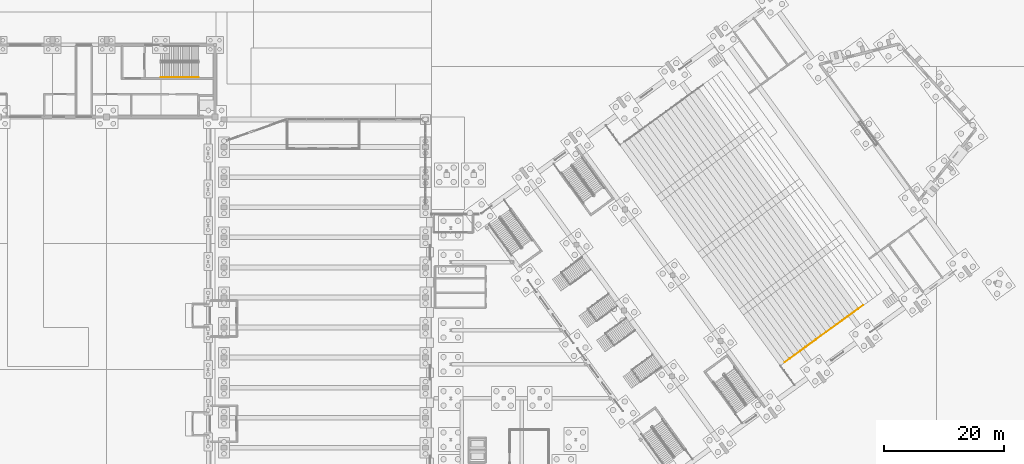
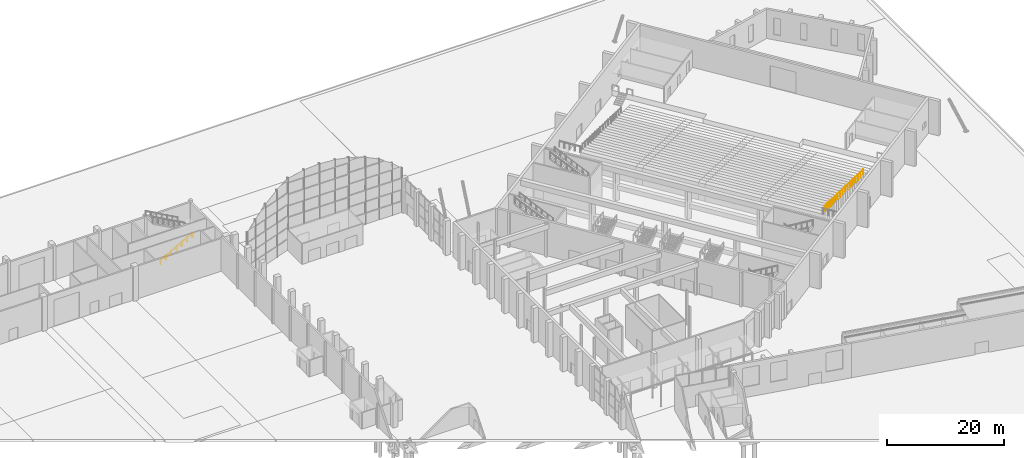
# One storey, part 231 of 239: 2 railings.
"""IFC4 building model written with IfcOpenShell, lengths in metres."""

from ifc_helpers import new_model, si_unit, direction, frame, origin, origin_2d, place, context, subcontext, project, spatial, circle, extrude, material, type_object, element, save


model = new_model("IFC4")

# Units and contexts
model_context = context("Model", 3, precision=1e-05, world=origin(), true_north=direction((0.0, 1.0)))
body_context = subcontext(model_context, "Body", "Model", "MODEL_VIEW")
ifc_project = project(units=[si_unit("LENGTHUNIT", "METRE"), si_unit("AREAUNIT", "SQUARE_METRE"), si_unit("VOLUMEUNIT", "CUBIC_METRE"), si_unit("PLANEANGLEUNIT", "RADIAN"), si_unit("MASSUNIT", "GRAM", prefix="KILO")], contexts=[model_context])

# Site, building, storey
site_placement = place(None, origin())
site = spatial("IfcSite", under=ifc_project, at=site_placement, CompositionType="ELEMENT")
building_placement = place(site_placement, origin())
building = spatial("IfcBuilding", under=site, at=building_placement, Name="Okhra Congress Centre", CompositionType="ELEMENT")
storey_placement = place(building_placement, origin())
storey = spatial("IfcBuildingStorey", under=building, at=storey_placement, Name="L00", CompositionType="ELEMENT", Elevation=0.0)

# Railings
ifc_material_1 = material(Name="Painted steel tube guard with vertical steel balusters", Category="steel")
railing_type_1 = type_object("IfcRailingType", Name="Steel guard 1200", PredefinedType="GUARDRAIL", material=ifc_material_1)
railing_1_placement = place(storey_placement, frame((248.73291015625, 175.23388671875, 3.60009765625)))
element("IfcRailing", 1, at=railing_1_placement, inside=storey, type_object=railing_type_1, Name="Stalls side guard", PredefinedType="GUARDRAIL", context=body_context, shape_type="SweptSolid", body=[
    extrude(circle(Radius=0.02392578125, at=origin_2d()), frame((0.0, 0.0, 1.17578125), z_axis=(0.797288441093, 0.579232177018, -0.169768156041), x_axis=(-0.587764143753, 0.809032330206, 0.0)), (0.0, 0.0, 1.0), 8.676025390625),
    extrude(circle(Radius=0.02392578125, at=origin_2d()), frame((6.917236328125, 5.025390625, -0.296875), z_axis=(0.797264800076, 0.579270620703, -0.169748008974), x_axis=(-0.587801083694, 0.809005491952, 0.0)), (0.0, 0.0, 1.0), 7.7119140625),
    extrude(circle(Radius=0.02099609375, at=origin_2d()), origin(), (0.0, 0.0, 1.0), 1.15185546875),
    extrude(circle(Radius=0.02099609375, at=origin_2d()), frame((0.86474609375, 0.628173828125, -0.18408203125)), (0.0, 0.0, 1.0), 1.15185546875),
    extrude(circle(Radius=0.02099609375, at=origin_2d()), frame((1.729248046875, 1.25634765625, -0.3681640625)), (0.0, 0.0, 1.0), 1.15185546875),
    extrude(circle(Radius=0.02099609375, at=origin_2d()), frame((2.593994140625, 1.884521484375, -0.55224609375)), (0.0, 0.0, 1.0), 1.15185546875),
    extrude(circle(Radius=0.02099609375, at=origin_2d()), frame((3.45849609375, 2.5126953125, -0.736328125)), (0.0, 0.0, 1.0), 1.15185546875),
    extrude(circle(Radius=0.02099609375, at=origin_2d()), frame((4.3232421875, 3.140869140625, -0.920654296875)), (0.0, 0.0, 1.0), 1.15185546875),
    extrude(circle(Radius=0.02099609375, at=origin_2d()), frame((5.18798828125, 3.76904296875, -1.104736328125)), (0.0, 0.0, 1.0), 1.15185546875),
    extrude(circle(Radius=0.02099609375, at=origin_2d()), frame((6.052490234375, 4.397216796875, -1.288818359375)), (0.0, 0.0, 1.0), 1.15185546875),
    extrude(circle(Radius=0.02099609375, at=origin_2d()), frame((6.917236328125, 5.025390625, -1.472900390625)), (0.0, 0.0, 1.0), 1.15185546875),
    extrude(circle(Radius=0.02099609375, at=origin_2d()), frame((7.795654296875, 5.66357421875, -1.659912109375)), (0.0, 0.0, 1.0), 1.15185546875),
    extrude(circle(Radius=0.02099609375, at=origin_2d()), frame((8.673828125, 6.3017578125, -1.846923828125)), (0.0, 0.0, 1.0), 1.15185546875),
    extrude(circle(Radius=0.02099609375, at=origin_2d()), frame((9.55224609375, 6.93994140625, -2.033935546875)), (0.0, 0.0, 1.0), 1.15185546875),
    extrude(circle(Radius=0.02099609375, at=origin_2d()), frame((10.4306640625, 7.578125, -2.220947265625)), (0.0, 0.0, 1.0), 1.15185546875),
    extrude(circle(Radius=0.02099609375, at=origin_2d()), frame((11.30908203125, 8.21630859375, -2.407958984375)), (0.0, 0.0, 1.0), 1.15185546875),
    extrude(circle(Radius=0.02099609375, at=origin_2d()), frame((12.187255859375, 8.8544921875, -2.594970703125)), (0.0, 0.0, 1.0), 1.15185546875),
    extrude(circle(Radius=0.02099609375, at=origin_2d()), frame((13.065673828125, 9.49267578125, -2.781982421875)), (0.0, 0.0, 1.0), 1.15185546875),
])
ifc_material_2 = material(Name="Painted steel tube handrail on wall brackets", Category="steel")
railing_type_2 = type_object("IfcRailingType", Name="Steel handrail 900", PredefinedType="HANDRAIL", material=ifc_material_2)
railing_2_placement = place(storey_placement, frame((144.97509765625, 222.625, 0.16357421875)))
element("IfcRailing", 2, at=railing_2_placement, inside=storey, type_object=railing_type_2, Name="L00 ES3 stair handrail 1", PredefinedType="HANDRAIL", context=body_context, shape_type="SweptSolid", body=[
    extrude(circle(Radius=0.02392578125, at=origin_2d()), frame((0.0, 0.0, 0.8759765625), z_axis=(0.877879970424, 0.0, 0.478880734138), x_axis=(0.0, 1.0, 0.0)), (0.0, 0.0, 1.0), 7.17626953125),
    extrude(circle(Radius=0.02099609375, at=origin_2d()), origin(), (0.0, 0.0, 1.0), 0.851806640625),
    extrude(circle(Radius=0.02099609375, at=origin_2d()), frame((1.050048828125, 0.0, 0.57275390625)), (0.0, 0.0, 1.0), 0.851806640625),
    extrude(circle(Radius=0.02099609375, at=origin_2d()), frame((2.099853515625, 0.0, 1.1455078125)), (0.0, 0.0, 1.0), 0.851806640625),
    extrude(circle(Radius=0.02099609375, at=origin_2d()), frame((3.14990234375, 0.0, 1.71826171875)), (0.0, 0.0, 1.0), 0.851806640625),
    extrude(circle(Radius=0.02099609375, at=origin_2d()), frame((4.199951171875, 0.0, 2.291015625)), (0.0, 0.0, 1.0), 0.851806640625),
    extrude(circle(Radius=0.02099609375, at=origin_2d()), frame((5.249755859375, 0.0, 2.86376953125)), (0.0, 0.0, 1.0), 0.851806640625),
    extrude(circle(Radius=0.02099609375, at=origin_2d()), frame((6.2998046875, 0.0, 3.4365234375)), (0.0, 0.0, 1.0), 0.851806640625),
])

save(model, "model.ifc")
